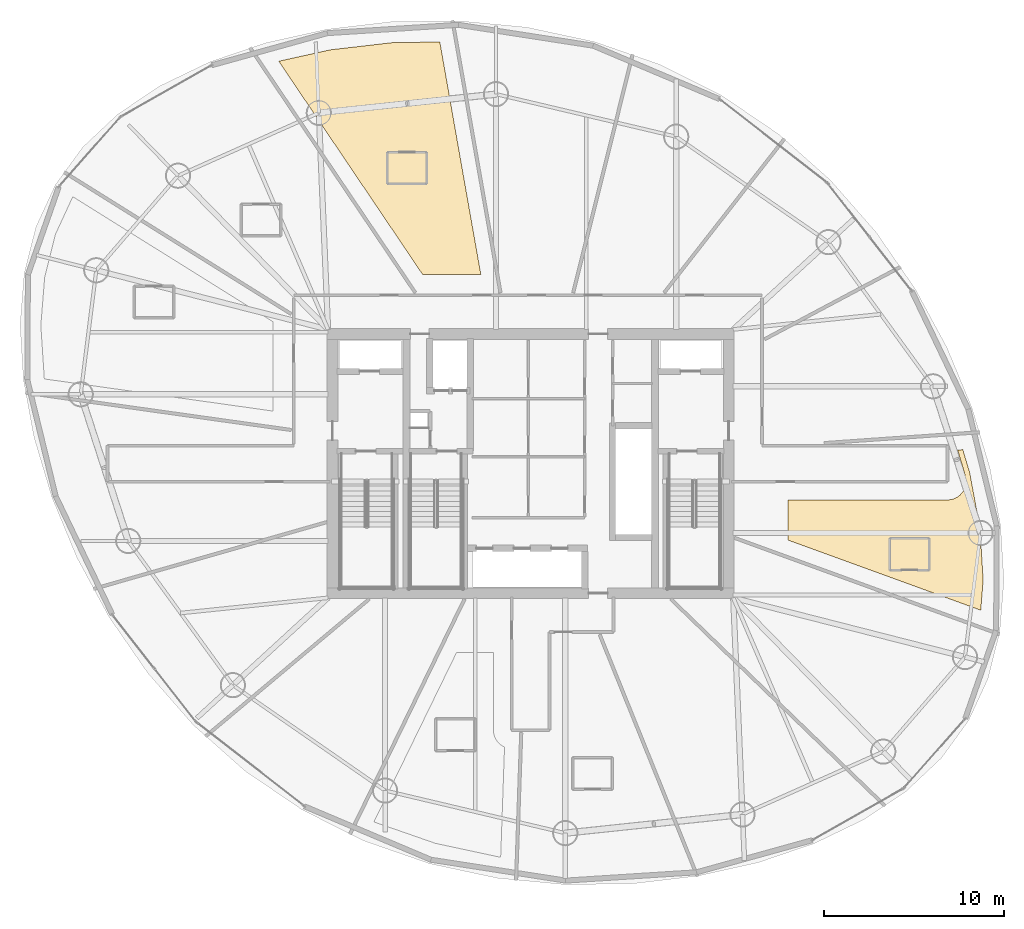
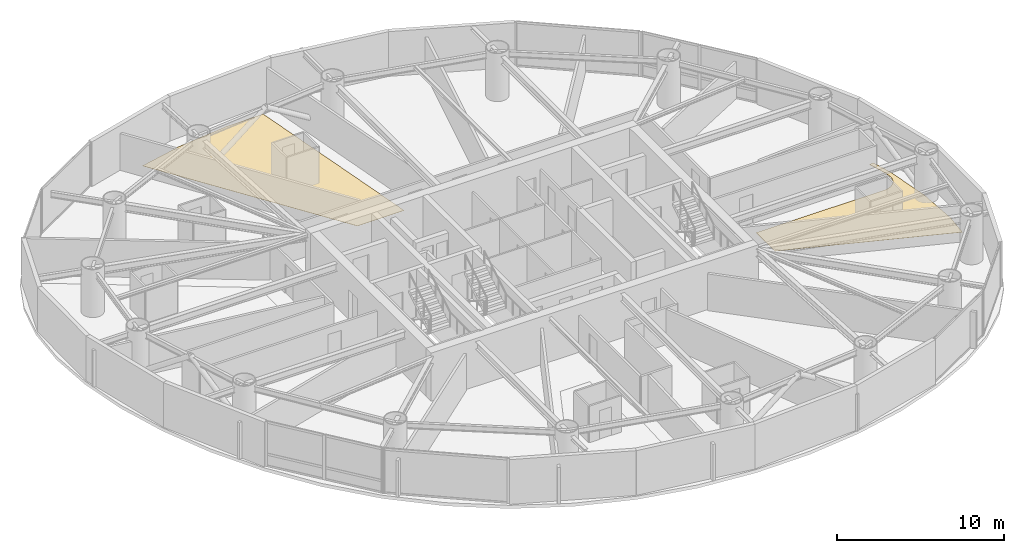
# One storey, part 20 of 20: 2 coverings.
"""IFC4 building model written with IfcOpenShell, lengths in metres."""

from ifc_helpers import new_model, si_unit, direction, frame, origin, place, context, subcontext, project, spatial, polyline, outline, extrude, material, layer, layer_set, type_object, element, save


model = new_model("IFC4")

# Units and contexts
model_context = context("Model", 3, precision=1e-05, world=origin(), true_north=direction((0.0, 1.0)))
body_context = subcontext(model_context, "Body", "Model", "MODEL_VIEW")
ifc_project = project(units=[si_unit("LENGTHUNIT", "METRE"), si_unit("AREAUNIT", "SQUARE_METRE"), si_unit("VOLUMEUNIT", "CUBIC_METRE"), si_unit("PLANEANGLEUNIT", "RADIAN"), si_unit("MASSUNIT", "GRAM", prefix="KILO")], contexts=[model_context])

# Site, building, storey
site_placement = place(None, origin())
site = spatial("IfcSite", under=ifc_project, at=site_placement, CompositionType="ELEMENT")
building_placement = place(site_placement, origin())
building = spatial("IfcBuilding", under=site, at=building_placement, Name="Bramvorn Convention Spire", CompositionType="ELEMENT")
storey_placement = place(building_placement, frame((0.0, 0.0, 151.800048828125)))
storey = spatial("IfcBuildingStorey", under=building, at=storey_placement, Name="L38", CompositionType="ELEMENT", Elevation=151.800048828125)

# Coverings
ifc_material = material(Name="Solution-Dyed Wool Broadloom Hospitality Carpet", Category="textile")
ifc_layer = layer(ifc_material, 0.014892578125)
ifc_layer_set = layer_set([ifc_layer], Name="Solution-Dyed Wool Broadloom Hospitality Carpet - FLR-CARPET-15")
covering_type = type_object("IfcCoveringType", Name="FLR-CARPET-15", PredefinedType="FLOORING", material=ifc_layer_set)
covering_1_placement = place(storey_placement, origin())
element("IfcCovering", 1, at=covering_1_placement, inside=storey, type_object=covering_type, Name="Hotel Suite 3805 wool broadloom carpet", PredefinedType="FLOORING", context=body_context, shape_type="SweptSolid", body=[
    extrude(outline(polyline([(32.00341796875, 36.5), (35.234619140625, 36.5), (32.9580078125, 49.412109375), (30.34375, 49.3798828125), (26.870849609375, 48.9775390625), (24.013916015625, 48.3447265625), (32.00341796875, 36.5)])), origin(), (0.0, 0.0, 1.0), 0.014892578125),
])
covering_2_placement = place(storey_placement, origin())
element("IfcCovering", 2, at=covering_2_placement, inside=storey, type_object=covering_type, Name="Hotel Suite 3815 wool broadloom carpet", PredefinedType="FLOORING", context=body_context, shape_type="SweptSolid", body=[
    extrude(outline(polyline([(62.100341796875, 25.455078125), (62.167724609375, 24.944580078125), (62.134765625, 24.737060546875), (62.01708984375, 24.464111328125), (61.834716796875, 24.24462890625), (61.665283203125, 24.1201171875), (61.401123046875, 24.01171875), (61.1494140625, 23.97998046875), (52.300048828125, 23.97998046875), (52.300048828125, 21.7529296875), (62.993408203125, 17.86083984375), (63.127197265625, 19.54345703125), (62.947021484375, 22.437255859375), (62.376220703125, 25.51513671875), (61.99755859375, 26.77587890625), (61.711181640625, 26.755859375), (62.100341796875, 25.455078125)])), origin(), (0.0, 0.0, 1.0), 0.014892578125),
])

save(model, "model.ifc")
